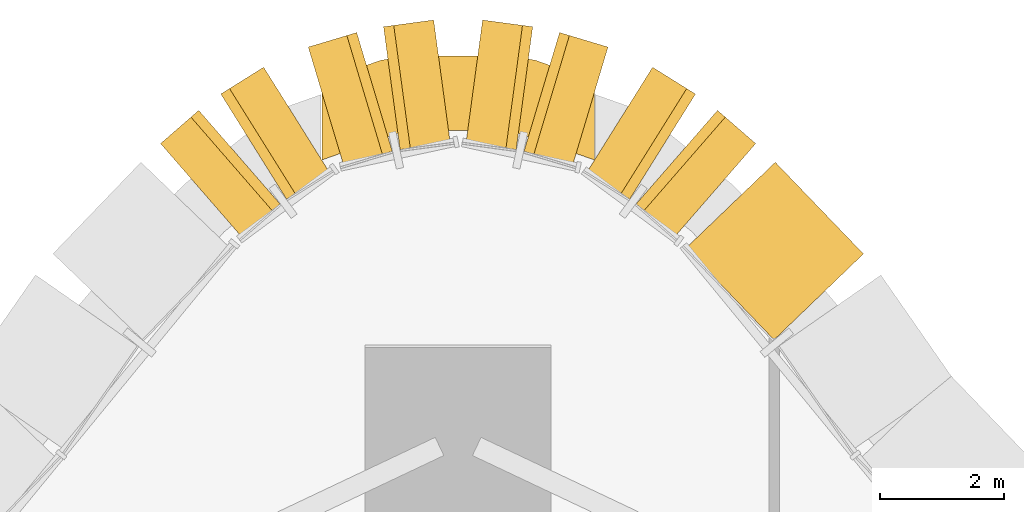
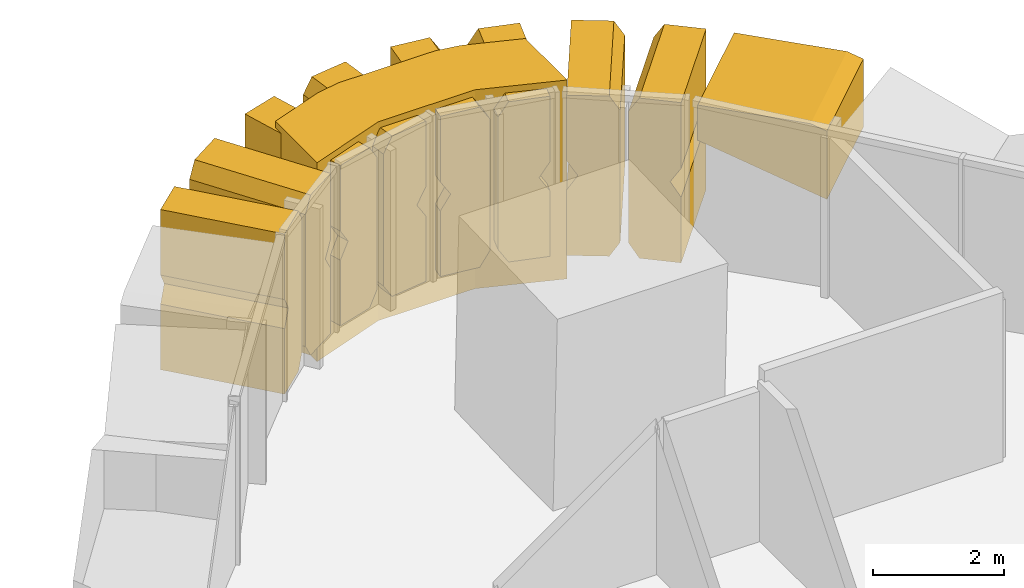
# One storey, part 26 of 27: 10 coverings.
"""IFC4 building model written with IfcOpenShell, lengths in metres."""

from ifc_helpers import new_model, si_unit, direction, frame, origin, place, context, subcontext, project, spatial, polyline, outline, extrude, material, layer, layer_set, type_object, element, save


model = new_model("IFC4")

# Units and contexts
model_context = context("Model", 3, precision=1e-05, world=origin(), true_north=direction((0.0, 1.0)))
body_context = subcontext(model_context, "Body", "Model", "MODEL_VIEW")
ifc_project = project(units=[si_unit("LENGTHUNIT", "METRE"), si_unit("AREAUNIT", "SQUARE_METRE"), si_unit("VOLUMEUNIT", "CUBIC_METRE"), si_unit("PLANEANGLEUNIT", "RADIAN"), si_unit("MASSUNIT", "GRAM", prefix="KILO")], contexts=[model_context])

# Site, building, storey
site_placement = place(None, origin())
site = spatial("IfcSite", under=ifc_project, at=site_placement, CompositionType="ELEMENT")
building_placement = place(site_placement, origin())
building = spatial("IfcBuilding", under=site, at=building_placement, Name="Sierra Prisma Convention Tower", CompositionType="ELEMENT")
storey_placement = place(building_placement, frame((0.0, 0.0, 48.0)))
storey = spatial("IfcBuildingStorey", under=building, at=storey_placement, Name="L07", CompositionType="ELEMENT", Elevation=48.0)

# Coverings
ifc_material_1 = material(Name="Aluminium composite bronze anodised", Category="aluminium")
ifc_layer_1 = layer(ifc_material_1, 1.199951171875)
ifc_layer_set_1 = layer_set([ifc_layer_1], Name="Bronze corner pier")
covering_type_1 = type_object("IfcCoveringType", Name="Bronze corner pier", PredefinedType="CLADDING", material=ifc_layer_set_1)
covering_1_placement = place(storey_placement, frame((0.0, 0.0, -0.60009765625)))
element("IfcCovering", 1, at=covering_1_placement, inside=storey, type_object=covering_type_1, Name="Corner pier N L07.1", PredefinedType="CLADDING", context=body_context, shape_type="SweptSolid", body=[
    extrude(outline(polyline([(-1.25048828125, 37.543701171875), (-0.8505859375, 37.6123046875), (0.8505859375, 37.6123046875), (1.25048828125, 37.543701171875), (2.199951171875, 37.207763671875), (2.199951171875, 35.93505859375), (0.8505859375, 36.412109375), (-0.8505859375, 36.412109375), (-2.199951171875, 35.93505859375), (-2.199951171875, 37.207763671875), (-1.25048828125, 37.543701171875)])), origin(), (0.0, 0.0, 1.0), 3.7001953125),
])
ifc_material_2 = material(Name="Aluminium 6063-T6 bronze anodised", Category="aluminium")
ifc_layer_2 = layer(ifc_material_2, 2.0)
ifc_layer_set_2 = layer_set([ifc_layer_2], Name="Bronze crystal chevron frame")
covering_type_2 = type_object("IfcCoveringType", Name="Bronze crystal chevron frame", PredefinedType="CLADDING", material=ifc_layer_set_2)
covering_2_placement = place(storey_placement, frame((6.538818359375, 34.420654296875, 1.623046875), z_axis=(0.720896170039, 0.693043079445, 4.5360714e-05), x_axis=(-0.655704461151, 0.682035732938, 0.323850148405)))
element("IfcCovering", 2, at=covering_2_placement, inside=storey, type_object=covering_type_2, Name="CW-2 chevron frame NE6.2.2", PredefinedType="CLADDING", context=body_context, shape_type="SweptSolid", body=[
    extrude(outline(polyline([(0.0, 0.0), (2.1681275728766036, 0.0), (2.380179842901724, 0.6194977277927255), (0.6843206063835915, 1.199985415163245), (0.410742558829419, 1.1999592452957528), (0.0, 0.0)])), origin(), (0.0, 0.0, -1.0), 2.0),
])
covering_3_placement = place(storey_placement, frame((4.800537109375, 36.20068359375, 0.0), z_axis=(0.656149289102, 0.754631108828, 0.0), x_axis=(-0.754631108828, 0.656149289102, 0.0)))
element("IfcCovering", 3, at=covering_3_placement, inside=storey, type_object=covering_type_2, Name="CW-2 chevron frame N1.1.1", PredefinedType="CLADDING", context=body_context, shape_type="SweptSolid", body=[
    extrude(outline(polyline([(0.0, 0.0), (0.6496425598873699, 0.0), (0.8156016277018825, 0.262939453125), (0.8156016277018825, 2.717041015625), (0.6496425598873699, 2.97998046875), (0.0, 2.97998046875), (0.0, 1.7607421875), (0.17114954334885718, 1.489990234375), (0.0, 1.21923828125), (0.0, 0.0)])), origin(), (0.0, 0.0, -1.0), 2.0),
])
covering_4_placement = place(storey_placement, frame((3.828857421875, 36.999755859375, 0.262939453125), z_axis=(0.53010015345, 0.847935037201, 0.0), x_axis=(-0.452736185925, 0.283035269333, -0.845530000809)))
element("IfcCovering", 4, at=covering_4_placement, inside=storey, type_object=covering_type_2, Name="CW-2 chevron frame N1.1.2", PredefinedType="CLADDING", context=body_context, shape_type="SweptSolid", body=[
    extrude(outline(polyline([(0.0, 0.0), (0.3109759001732547, 0.0), (0.6578351776331343, 0.5492874923068622), (-0.37306736729826157, 1.2002728449219773), (-0.693288107107568, 1.2002648115061683), (-0.8309251655877761, 1.48939689620358), (-1.861827710519172, 2.1403822488186948), (-2.2086869879790516, 1.5910947565118327), (-2.0750164961254285, 1.3103133288920976), (0.0, 0.0)])), origin(), (0.0, 0.0, -1.0), 2.0),
])
covering_5_placement = place(storey_placement, frame((2.417724609375, 37.7578125, 0.0), z_axis=(0.286818668419, 0.957984891033, 0.0), x_axis=(-0.957984891033, 0.286818668419, 0.0)))
element("IfcCovering", 5, at=covering_5_placement, inside=storey, type_object=covering_type_2, Name="CW-2 chevron frame N2.1.1", PredefinedType="CLADDING", context=body_context, shape_type="SweptSolid", body=[
    extrude(outline(polyline([(0.0, 0.0), (0.6495962234485534, 0.0), (0.8155087733518235, 0.262939453125), (0.8155087733518235, 2.717041015625), (0.6495962234485534, 2.97998046875), (0.0, 2.97998046875), (0.0, 1.7607421875), (0.17094033094886185, 1.489990234375), (0.0, 1.21923828125), (0.0, 0.0)])), origin(), (0.0, 0.0, -1.0), 2.0),
])
covering_6_placement = place(storey_placement, frame((1.203125, 38.085205078125, 0.262939453125), z_axis=(0.133514212704, 0.99104689849, 0.0), x_axis=(-0.529159190645, 0.071288526145, -0.845522617673)))
element("IfcCovering", 6, at=covering_6_placement, inside=storey, type_object=covering_type_2, Name="CW-2 chevron frame N2.1.2", PredefinedType="CLADDING", context=body_context, shape_type="SweptSolid", body=[
    extrude(outline(polyline([(0.0, 0.0), (0.3109786156267978, -2.7755575615628914e-17), (0.6577000641916168, 0.5490524085929114), (-0.373193478937637, 1.2000520162731831), (-0.6932845491460302, 1.2002537498541113), (-0.831047279230125, 1.4891823986990627), (-1.861940822359379, 2.140182006379334), (-2.2086622709241976, 1.5911295977864226), (-2.0749983771596434, 1.3103420217064659), (0.0, 0.0)])), origin(), (0.0, 0.0, -1.0), 2.0),
])
covering_7_placement = place(storey_placement, frame((-0.39501953125, 38.194091796875, 0.0), z_axis=(-0.133514212704, 0.99104689849, 0.0), x_axis=(-0.99104689849, -0.133514212704, 0.0)))
element("IfcCovering", 7, at=covering_7_placement, inside=storey, type_object=covering_type_2, Name="CW-2 chevron frame N3.1.1", PredefinedType="CLADDING", context=body_context, shape_type="SweptSolid", body=[
    extrude(outline(polyline([(0.0, 0.0), (0.6493645434396336, 0.0), (0.8154083429850716, 0.262939453125), (0.8154083429850716, 2.717041015625), (0.6493645434396336, 2.97998046875), (0.0, 2.97998046875), (0.0, 1.7607421875), (0.17073872965027587, 1.489990234375), (0.0, 1.21923828125), (0.0, 0.0)])), origin(), (0.0, 0.0, -1.0), 2.0),
])
covering_8_placement = place(storey_placement, frame((-1.636474609375, 37.99169921875, 0.262939453125), z_axis=(-0.286818668419, 0.957984891033, 0.0), x_axis=(-0.511216925193, -0.153057275881, -0.845713146224)))
element("IfcCovering", 8, at=covering_8_placement, inside=storey, type_object=covering_type_2, Name="CW-2 chevron frame N3.1.2", PredefinedType="CLADDING", context=body_context, shape_type="SweptSolid", body=[
    extrude(outline(polyline([(0.0, 0.0), (0.31090855604997303, 5.551115123125783e-17), (0.6575576390123631, 0.5493720659079392), (-0.37356820382038136, 1.200003668819999), (-0.6937669077127453, 1.1999206534061786), (-0.8315251760676836, 1.488970608199044), (-1.862651018900428, 2.139602211111104), (-2.209300101862818, 1.5902301452031649), (-2.07546595357524, 1.3096012960496652), (0.0, 0.0)])), origin(), (0.0, 0.0, -1.0), 2.0),
])
covering_9_placement = place(storey_placement, frame((-3.13720703125, 37.43212890625, 0.0), z_axis=(-0.53010015345, 0.847935037201, 0.0), x_axis=(-0.847935037201, -0.53010015345, 0.0)))
element("IfcCovering", 9, at=covering_9_placement, inside=storey, type_object=covering_type_2, Name="CW-2 chevron frame N4.1.1", PredefinedType="CLADDING", context=body_context, shape_type="SweptSolid", body=[
    extrude(outline(polyline([(0.0, 0.0), (0.6496369044048768, 0.0), (0.8156756182004612, 0.262939453125), (0.8156756182004612, 2.717041015625), (0.6496369044048768, 2.97998046875), (0.0, 2.97998046875), (0.0, 1.7607421875), (0.17098158423512522, 1.489990234375), (0.0, 1.21923828125), (0.0, 0.0)])), origin(), (0.0, 0.0, -1.0), 2.0),
])
covering_10_placement = place(storey_placement, frame((-4.18505859375, 36.73583984375, 0.262939453125), z_axis=(-0.656149289102, 0.754631108828, 0.0), x_axis=(-0.402780410573, -0.350216253968, -0.845645620999)))
element("IfcCovering", 10, at=covering_10_placement, inside=storey, type_object=covering_type_2, Name="CW-2 chevron frame N4.1.2", PredefinedType="CLADDING", context=body_context, shape_type="SweptSolid", body=[
    extrude(outline(polyline([(0.0, 0.0), (0.3109333822533953, 0.0), (0.6576767035082307, 0.5493673859833517), (-0.37336680998521055, 1.2001294467617547), (-0.6936771878432684, 1.1999100249014711), (-0.83128721705939, 1.489154326779075), (-1.8623307305528312, 2.139916387557478), (-2.2090740518076664, 1.5905490015741266), (-2.0753002398149922, 1.3098638836492806), (0.0, 0.0)])), origin(), (0.0, 0.0, -1.0), 2.0),
])

save(model, "model.ifc")
